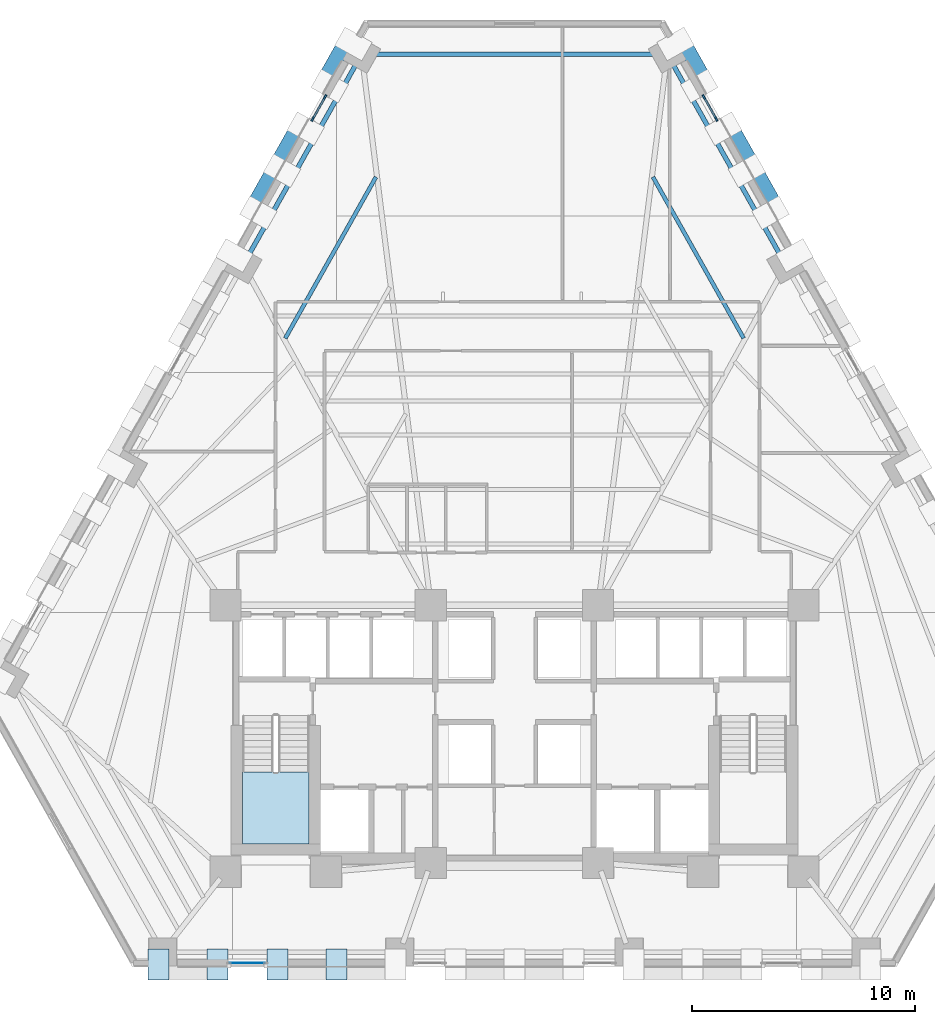
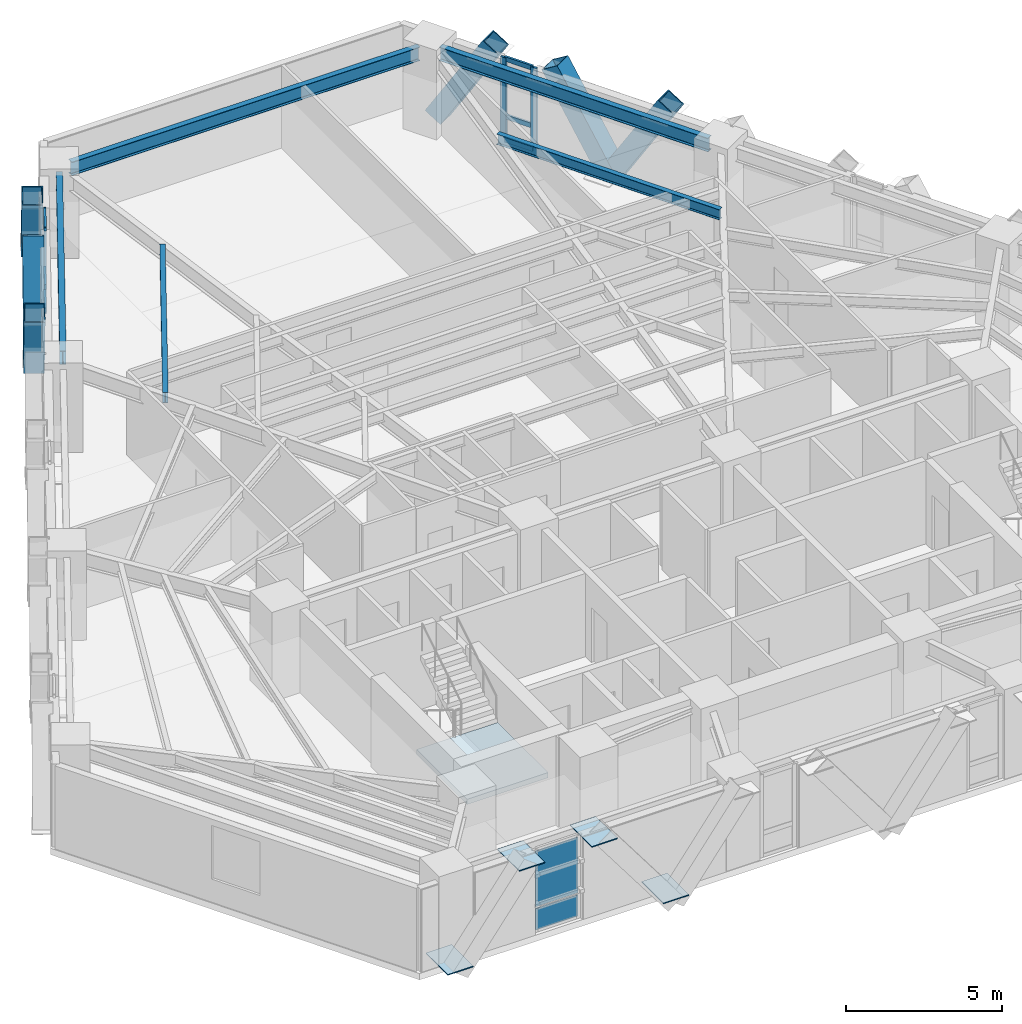
# One storey, part 5 of 13: 16 members, 6 plates, 5 beams, 1 slab, 4 elements without a shape of their own.
"""IFC4 building model written with IfcOpenShell, lengths in metres."""

from ifc_helpers import new_model, si_unit, direction, frame, origin, origin_2d, place, context, subcontext, project, spatial, polyline, rectangle, hollow_rectangle, i_section, outline, extrude, material, layer, layer_set, material_profile, profile_set, type_object, element, aggregate, save


model = new_model("IFC4")

# Units and contexts
model_context = context("Model", 3, precision=1e-05, world=origin(), true_north=direction((0.0, 1.0)))
body_context = subcontext(model_context, "Body", "Model", "MODEL_VIEW")
ifc_project = project(units=[si_unit("LENGTHUNIT", "METRE"), si_unit("AREAUNIT", "SQUARE_METRE"), si_unit("VOLUMEUNIT", "CUBIC_METRE"), si_unit("PLANEANGLEUNIT", "RADIAN"), si_unit("MASSUNIT", "GRAM", prefix="KILO")], contexts=[model_context])

# Site, building, storey
site_placement = place(None, origin())
site = spatial("IfcSite", under=ifc_project, at=site_placement, CompositionType="ELEMENT")
building_placement = place(site_placement, origin())
building = spatial("IfcBuilding", under=site, at=building_placement, Name="Quenlor Broadcast Tower", CompositionType="ELEMENT")
storey_placement = place(building_placement, frame((0.0, 0.0, 59.10009765625)))
storey = spatial("IfcBuildingStorey", under=building, at=storey_placement, Name="L15", CompositionType="ELEMENT", Elevation=59.10009765625)

# Curtain wall, members
ifc_material_1 = material(Name="Architectural Terracotta and Low-E Glazing", Category="masonry")
curtain_wall_type = type_object("IfcCurtainWallType", Name="Unitised Terracotta Curtain Wall System Z1", PredefinedType="NOTDEFINED", material=ifc_material_1)
curtain_wall_1_placement = place(storey_placement, origin())
curtain_wall_1 = element("IfcCurtainWall", 1, at=curtain_wall_1_placement, inside=storey, type_object=curtain_wall_type, Name="L15 Curtain Wall CW1 (L15-NEA-G1)", PredefinedType="NOTDEFINED")
ifc_material_2 = material(Name="Aluminium 6063-T6", Category="aluminium")
ifc_material_profile_1 = material_profile(ifc_material_2, rectangle(XDim=0.080078125, YDim=0.219970703125, at=origin_2d()))
ifc_profile_set_1 = profile_set([ifc_material_profile_1], Name="Aluminium 6063-T6 MULL80x220")
member_type_1 = type_object("IfcMemberType", Name="CW1 Aluminium Mullion MULL_CW1", PredefinedType="MULLION", material=ifc_profile_set_1)
member_1_placement = place(storey_placement, frame((8.489990234375, 17.97998046875, 0.0), z_axis=(0.0, 0.0, 1.0), x_axis=(0.871566703483, 0.490276943553, 0.0)))
member_1 = element("IfcMember", 2, at=member_1_placement, type_object=member_type_1, Name="CW1 mullion 1", PredefinedType="MULLION", context=body_context, shape_type="SweptSolid", body=[
    extrude(rectangle(XDim=0.080078125, YDim=0.219970703125, at=origin_2d()), origin(), (0.0, 0.0, 1.0), 3.25),
])
member_2_placement = place(storey_placement, frame((9.043701171875, 16.995849609375, 0.0), z_axis=(0.0, 0.0, 1.0), x_axis=(0.871566703483, 0.490276943553, 0.0)))
member_2 = element("IfcMember", 3, at=member_2_placement, type_object=member_type_1, Name="CW1 mullion 2", PredefinedType="MULLION", context=body_context, shape_type="SweptSolid", body=[
    extrude(rectangle(XDim=0.080078125, YDim=0.219970703125, at=origin_2d()), origin(), (0.0, 0.0, 1.0), 3.25),
])

curtain_wall_2_placement = place(storey_placement, origin())
curtain_wall_2 = element("IfcCurtainWall", 4, at=curtain_wall_2_placement, inside=storey, type_object=curtain_wall_type, Name="L15 Curtain Wall CW1 (L15-NWC-G1)", PredefinedType="NOTDEFINED")
member_3_placement = place(storey_placement, frame((-9.043701171875, 16.995849609375, 0.0), z_axis=(0.0, 0.0, 1.0), x_axis=(-0.871566703483, 0.490276943553, 0.0)))
member_3 = element("IfcMember", 5, at=member_3_placement, type_object=member_type_1, Name="CW1 mullion 1", PredefinedType="MULLION", context=body_context, shape_type="SweptSolid", body=[
    extrude(rectangle(XDim=0.080078125, YDim=0.219970703125, at=origin_2d()), origin(), (0.0, 0.0, 1.0), 3.25),
])
member_4_placement = place(storey_placement, frame((-8.489990234375, 17.97998046875, 0.0), z_axis=(0.0, 0.0, 1.0), x_axis=(-0.871566703483, 0.490276943553, 0.0)))
member_4 = element("IfcMember", 6, at=member_4_placement, type_object=member_type_1, Name="CW1 mullion 2", PredefinedType="MULLION", context=body_context, shape_type="SweptSolid", body=[
    extrude(rectangle(XDim=0.080078125, YDim=0.219970703125, at=origin_2d()), origin(), (0.0, 0.0, 1.0), 3.25),
])

# Member
ifc_material_3 = material(Name="Aluminium 6063-T6", Category="aluminium")
ifc_material_profile_2 = material_profile(ifc_material_3, rectangle(XDim=0.080078125, YDim=0.179931640625, at=origin_2d()))
ifc_profile_set_2 = profile_set([ifc_material_profile_2], Name="Aluminium 6063-T6 TRAN80x180")
member_type_2 = type_object("IfcMemberType", Name="CW1 Aluminium Transom TRAN_CW1", PredefinedType="USERDEFINED", material=ifc_profile_set_2)
member_5_placement = place(storey_placement, frame((8.509765625, 17.945068359375, 0.039794921875), z_axis=(0.490239146026, -0.87158796441, 0.0), x_axis=(0.87158796441, 0.490239146026, 0.0)))
member_5 = element("IfcMember", 7, at=member_5_placement, type_object=member_type_2, Name="CW1 transom 1.1", ObjectType="TRANSOM", PredefinedType="USERDEFINED", context=body_context, shape_type="SweptSolid", body=[
    extrude(rectangle(XDim=0.080078125, YDim=0.179931640625, at=origin_2d()), origin(), (0.0, 0.0, 1.0), 1.04931640625),
])

member_6_placement = place(storey_placement, frame((8.509765625, 17.945068359375, 0.949951171875), z_axis=(0.490239146026, -0.87158796441, 0.0), x_axis=(0.87158796441, 0.490239146026, 0.0)))
member_6 = element("IfcMember", 8, at=member_6_placement, type_object=member_type_2, Name="CW1 transom 1.2", ObjectType="TRANSOM", PredefinedType="USERDEFINED", context=body_context, shape_type="SweptSolid", body=[
    extrude(rectangle(XDim=0.080078125, YDim=0.179931640625, at=origin_2d()), origin(), (0.0, 0.0, 1.0), 1.04931640625),
])

member_7_placement = place(storey_placement, frame((8.509765625, 17.945068359375, 3.2099609375), z_axis=(0.490239146026, -0.87158796441, 0.0), x_axis=(0.87158796441, 0.490239146026, 0.0)))
member_7 = element("IfcMember", 9, at=member_7_placement, type_object=member_type_2, Name="CW1 transom 1.3", ObjectType="TRANSOM", PredefinedType="USERDEFINED", context=body_context, shape_type="SweptSolid", body=[
    extrude(rectangle(XDim=0.080078125, YDim=0.179931640625, at=origin_2d()), origin(), (0.0, 0.0, 1.0), 1.04931640625),
])

aggregate(curtain_wall_1, [member_1, member_2, member_5, member_6, member_7])

member_8_placement = place(storey_placement, frame((-9.024169921875, 17.030517578125, 0.039794921875), z_axis=(0.490239146026, 0.87158796441, 0.0), x_axis=(-0.87158796441, 0.490239146026, 0.0)))
member_8 = element("IfcMember", 10, at=member_8_placement, type_object=member_type_2, Name="CW1 transom 1.1", ObjectType="TRANSOM", PredefinedType="USERDEFINED", context=body_context, shape_type="SweptSolid", body=[
    extrude(rectangle(XDim=0.080078125, YDim=0.179931640625, at=origin_2d()), origin(), (0.0, 0.0, 1.0), 1.04931640625),
])

member_9_placement = place(storey_placement, frame((-9.024169921875, 17.030517578125, 0.949951171875), z_axis=(0.490239146026, 0.87158796441, 0.0), x_axis=(-0.87158796441, 0.490239146026, 0.0)))
member_9 = element("IfcMember", 11, at=member_9_placement, type_object=member_type_2, Name="CW1 transom 1.2", ObjectType="TRANSOM", PredefinedType="USERDEFINED", context=body_context, shape_type="SweptSolid", body=[
    extrude(rectangle(XDim=0.080078125, YDim=0.179931640625, at=origin_2d()), origin(), (0.0, 0.0, 1.0), 1.04931640625),
])

member_10_placement = place(storey_placement, frame((-9.024169921875, 17.030517578125, 3.2099609375), z_axis=(0.490239146026, 0.87158796441, 0.0), x_axis=(-0.87158796441, 0.490239146026, 0.0)))
member_10 = element("IfcMember", 12, at=member_10_placement, type_object=member_type_2, Name="CW1 transom 1.3", ObjectType="TRANSOM", PredefinedType="USERDEFINED", context=body_context, shape_type="SweptSolid", body=[
    extrude(rectangle(XDim=0.080078125, YDim=0.179931640625, at=origin_2d()), origin(), (0.0, 0.0, 1.0), 1.04931640625),
])

aggregate(curtain_wall_2, [member_3, member_4, member_8, member_9, member_10])

# Members
ifc_material_4 = material(Name="Steel S355", Category="steel")
ifc_material_profile_3 = material_profile(ifc_material_4, hollow_rectangle(XDim=0.679931640625, YDim=0.679931640625, WallThickness=0.034912109375, at=origin_2d()))
ifc_profile_set_3 = profile_set([ifc_material_profile_3], Name="Steel S355 RHS680x680x35")
member_type_3 = type_object("IfcMemberType", Name="Perimeter Diagonal Lattice Brace Z1 Steel S355 RHS680x35", PredefinedType="BRACE", material=ifc_profile_set_3)
for number, where, z_axis, x_axis, name in (
    (13, (7.519287109375, 20.51171875, -0.1201171875), (0.256375341489, -0.45579159737, 0.852364771705), (0.871581609758, 0.490250443683, 0.0), "L15 Perimeter Diamond Lattice NE-C1S"),
    (14, (10.703125, 14.851318359375, -0.1201171875), (-0.256375341489, 0.45579159737, 0.852364771705), (-0.871581609758, -0.490250443683, 0.0), "L15 Perimeter Diamond Lattice NE-C1B"),
    (15, (10.716064453125, 14.82861328125, -0.1201171875), (0.256375341489, -0.45579159737, 0.852364771705), (0.871581609758, 0.490250443683, 0.0), "L15 Perimeter Diamond Lattice NE-C2S"),
    (16, (-10.716064453125, 14.82861328125, -0.1201171875), (-0.256375341489, -0.45579159737, 0.852364771705), (0.871581609758, -0.490250443683, 0.0), "L15 Perimeter Diamond Lattice NW-C4B"),
    (17, (-10.703125, 14.851318359375, -0.1201171875), (0.256375341489, 0.45579159737, 0.852364771705), (-0.871581609758, 0.490250443683, 0.0), "L15 Perimeter Diamond Lattice NW-C5S"),
    (18, (-7.519287109375, 20.51171875, -0.1201171875), (-0.256375341489, -0.45579159737, 0.852364771705), (0.871581609758, -0.490250443683, 0.0), "L15 Perimeter Diamond Lattice NW-C5B"),
):
    element("IfcMember", number, at=place(storey_placement, frame(where, z_axis=z_axis, x_axis=x_axis)), inside=storey, type_object=member_type_3, Name=name, PredefinedType="BRACE", context=body_context, shape_type="SweptSolid", body=[
        extrude(hollow_rectangle(XDim=0.679931640625, YDim=0.679931640625, WallThickness=0.034912109375, at=origin_2d()), origin(), (0.0, 0.0, 1.0), 4.106201171875),
    ])

# Beams
ifc_material_5 = material(Name="Steel S355", Category="steel")
ifc_material_profile_4 = material_profile(ifc_material_5, i_section(OverallWidth=0.208984375, OverallDepth=0.532958984375, WebThickness=0.01025390625, FlangeThickness=0.015625, FilletRadius=0.013916015625, at=origin_2d()))
ifc_profile_set_4 = profile_set([ifc_material_profile_4], Name="Steel S355 530UB92.4")
beam_type_1 = type_object("IfcBeamType", Name="Perimeter Spandrel Beam Z1 Steel S355 530UB92.4", PredefinedType="SPANDREL", material=ifc_profile_set_4)
beam_1_placement = place(storey_placement, frame((11.962158203125, 10.80810546875, 2.9833984375), z_axis=(-0.490257767622, 0.871577490121, 0.0), x_axis=(-0.871577490121, -0.490257767622, 0.0)))
element("IfcBeam", 19, at=beam_1_placement, inside=storey, type_object=beam_type_1, Name="L15 Spandrel Beam NE3-NE4", PredefinedType="SPANDREL", context=body_context, shape_type="SweptSolid", body=[
    extrude(i_section(OverallWidth=0.208984375, OverallDepth=0.532958984375, WebThickness=0.01025390625, FlangeThickness=0.015625, FilletRadius=0.013916015625, at=origin_2d()), origin(), (0.0, 0.0, 1.0), 10.015380859375),
])
beam_2_placement = place(storey_placement, frame((6.44091796875, 19.894775390625, 2.9833984375), z_axis=(-1.0, 0.0, 0.0), x_axis=(0.0, -1.0, 0.0)))
element("IfcBeam", 20, at=beam_2_placement, inside=storey, type_object=beam_type_1, Name="L15 Spandrel Beam NE4-NW1", PredefinedType="SPANDREL", context=body_context, shape_type="SweptSolid", body=[
    extrude(i_section(OverallWidth=0.208984375, OverallDepth=0.532958984375, WebThickness=0.01025390625, FlangeThickness=0.015625, FilletRadius=0.013916015625, at=origin_2d()), origin(), (0.0, 0.0, 1.0), 12.8818359375),
])
beam_3_placement = place(storey_placement, frame((-7.052001953125, 19.537353515625, 2.9833984375), z_axis=(-0.490257767622, -0.871577490121, 0.0), x_axis=(0.871577490121, -0.490257767622, 0.0)))
element("IfcBeam", 21, at=beam_3_placement, inside=storey, type_object=beam_type_1, Name="L15 Spandrel Beam NW1-NW2", PredefinedType="SPANDREL", context=body_context, shape_type="SweptSolid", body=[
    extrude(i_section(OverallWidth=0.208984375, OverallDepth=0.532958984375, WebThickness=0.01025390625, FlangeThickness=0.015625, FilletRadius=0.013916015625, at=origin_2d()), origin(), (0.0, 0.0, 1.0), 10.015380859375),
])
ifc_material_6 = material(Name="Steel S355", Category="steel")
ifc_material_profile_5 = material_profile(ifc_material_6, i_section(OverallWidth=0.177978515625, OverallDepth=0.406494140625, WebThickness=0.0078125, FlangeThickness=0.0126953125, FilletRadius=0.011474609375, at=origin_2d()))
ifc_profile_set_5 = profile_set([ifc_material_profile_5], Name="Steel S355 410UB59.7")
beam_type_2 = type_object("IfcBeamType", Name="Tower Composite Joist Z1 Steel S355 410UB59.7", PredefinedType="JOIST", material=ifc_profile_set_5)
for number, where, z_axis, x_axis, name in (
    (22, (-6.2080078125, 14.39208984375, 3.046630859375), (-0.490248658014, -0.871582614166, 0.0), (0.871582614166, -0.490248658014, 0.0), "L15 Secondary Composite Joist 27"),
    (23, (6.2080078125, 14.39208984375, 3.046630859375), (0.490248658014, -0.871582614166, 0.0), (0.871582614166, 0.490248658014, 0.0), "L15 Secondary Composite Joist 30"),
):
    element("IfcBeam", number, at=place(storey_placement, frame(where, z_axis=z_axis, x_axis=x_axis)), inside=storey, type_object=beam_type_2, Name=name, PredefinedType="JOIST", context=body_context, shape_type="SweptSolid", body=[
        extrude(i_section(OverallWidth=0.177978515625, OverallDepth=0.406494140625, WebThickness=0.0078125, FlangeThickness=0.0126953125, FilletRadius=0.011474609375, at=origin_2d()), origin(), (0.0, 0.0, 1.0), 8.29150390625),
    ])

# Curtain wall, plates
curtain_wall_3_placement = place(storey_placement, origin())
curtain_wall_3 = element("IfcCurtainWall", 24, at=curtain_wall_3_placement, inside=storey, type_object=curtain_wall_type, Name="L15 Curtain Wall CW1 (L15-SC-G1)", PredefinedType="NOTDEFINED")
ifc_material_7 = material(Name="Double Glazed Low-E Solar Glass", Category="glass")
ifc_layer_1 = layer(ifc_material_7, 0.031982421875)
ifc_layer_set_1 = layer_set([ifc_layer_1], Name="CW1 Double Glazed Vision Panel 32")
plate_type_1 = type_object("IfcPlateType", Name="CW1 Double Glazed Vision Panel 32", PredefinedType="CURTAIN_PANEL", material=ifc_layer_set_1)
plate_1_placement = place(storey_placement, frame((-11.970703125, -20.840087890625, 0.079833984375), z_axis=(0.0, 0.0, 1.0), x_axis=(-1.0, 0.0, 0.0)))
plate_1 = element("IfcPlate", 25, at=plate_1_placement, type_object=plate_type_1, Name="CW1 panel 1.1", PredefinedType="CURTAIN_PANEL", context=body_context, shape_type="SweptSolid", body=[
    extrude(rectangle(XDim=1.568359375, YDim=0.031982421875, at=origin_2d()), origin(), (0.0, 0.0, 1.0), 0.830078125),
])
plate_2_placement = place(storey_placement, frame((-11.970703125, -20.840087890625, 0.98974609375), z_axis=(0.0, 0.0, 1.0), x_axis=(-1.0, 0.0, 0.0)))
plate_2 = element("IfcPlate", 26, at=plate_2_placement, type_object=plate_type_1, Name="CW1 panel 1.2", PredefinedType="CURTAIN_PANEL", context=body_context, shape_type="SweptSolid", body=[
    extrude(rectangle(XDim=1.568359375, YDim=0.031982421875, at=origin_2d()), origin(), (0.0, 0.0, 1.0), 2.179931640625),
])
aggregate(curtain_wall_3, [plate_1, plate_2])

# Stair, slab
ifc_material_8 = material(Name="Precast concrete C40/50", Category="concrete")
stair_type = type_object("IfcStairType", Name="Precast Concrete C40/50 Dogleg Stair H350", PredefinedType="HALF_TURN_STAIR", material=ifc_material_8)
stair_placement = place(storey_placement, origin())
stair = element("IfcStair", 27, at=stair_placement, inside=storey, type_object=stair_type, Name="L15 West Core Fire-Isolated Exit Stair ST-1", PredefinedType="HALF_TURN_STAIR")
ifc_material_9 = material(Name="Precast concrete C40/50", Category="concrete")
ifc_layer_2 = layer(ifc_material_9, 0.199951171875)
ifc_layer_set_2 = layer_set([ifc_layer_2], Name="Precast Concrete C40/50 Stair Landing Slab 200")
slab_type = type_object("IfcSlabType", Name="Precast Concrete C40/50 Stair Landing Slab 200", PredefinedType="LANDING", material=ifc_layer_set_2)
slab_placement = place(storey_placement, frame((0.0, 0.0, 1.5498046875)))
slab = element("IfcSlab", 28, at=slab_placement, type_object=slab_type, Name="ST-1 landing 1", PredefinedType="LANDING", context=body_context, shape_type="SweptSolid", body=[
    extrude(outline(polyline([(-12.199951171875, -12.27001953125), (-12.199951171875, -15.5), (-9.199951171875, -15.5), (-9.199951171875, -12.27001953125), (-12.199951171875, -12.27001953125)])), origin(), (0.0, 0.0, 1.0), 0.2001953125),
])
aggregate(stair, [slab])

# Plates
ifc_material_10 = material(Name="Steel S355", Category="steel")
ifc_layer_3 = layer(ifc_material_10, 0.035888671875)
ifc_layer_set_3 = layer_set([ifc_layer_3], Name="Transfer Truss Steel S355 Gusset Node Plate 1400x950x36")
plate_type_2 = type_object("IfcPlateType", Name="Transfer Truss Steel S355 Gusset Node Plate 1400x950x36", PredefinedType="SHEET", material=ifc_layer_set_3)
for number, where, z_axis, x_axis, name in (
    (29, (-7.98046875, -20.89990234375, 0.0419921875), (0.0, 0.0, 1.0), (0.0, -1.0, 0.0), "L15 Lattice Tie Gusset Node S-B9"),
    (30, (-10.624755859375, -20.89990234375, 3.18212890625), (0.0, 0.0, 1.0), (0.0, -1.0, 0.0), "L15 Lattice Tie Gusset Node S-T10"),
    (31, (-15.9609375, -20.89990234375, 0.0419921875), (0.0, 0.0, 1.0), (0.0, -1.0, 0.0), "L15 Lattice Tie Gusset Node S-B12"),
    (32, (-13.31689453125, -20.89990234375, 3.18212890625), (0.0, 0.0, 1.0), (0.0, -1.0, 0.0), "L15 Lattice Tie Gusset Node S-T11"),
):
    element("IfcPlate", number, at=place(storey_placement, frame(where, z_axis=z_axis, x_axis=x_axis)), inside=storey, type_object=plate_type_2, Name=name, PredefinedType="SHEET", context=body_context, shape_type="SweptSolid", body=[
        extrude(rectangle(XDim=1.39990234375, YDim=0.949951171875, at=origin_2d()), origin(), (0.0, 0.0, 1.0), 0.035888671875),
    ])

save(model, "model.ifc")
